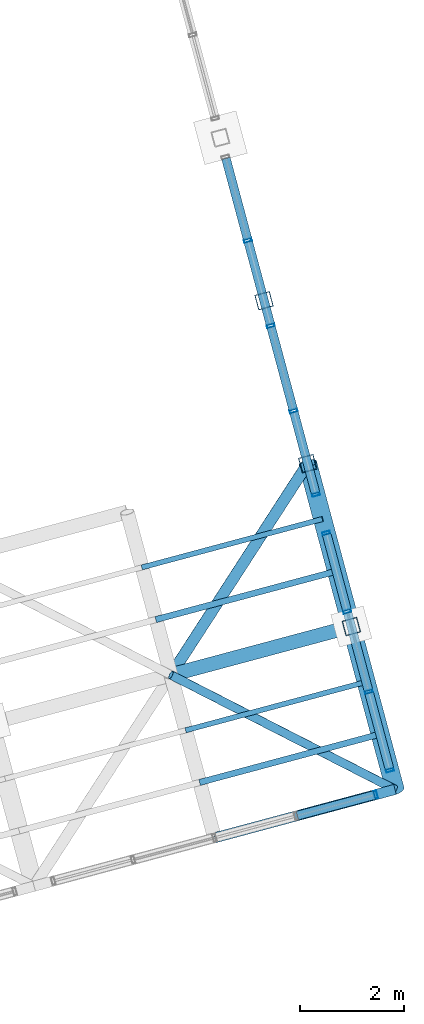
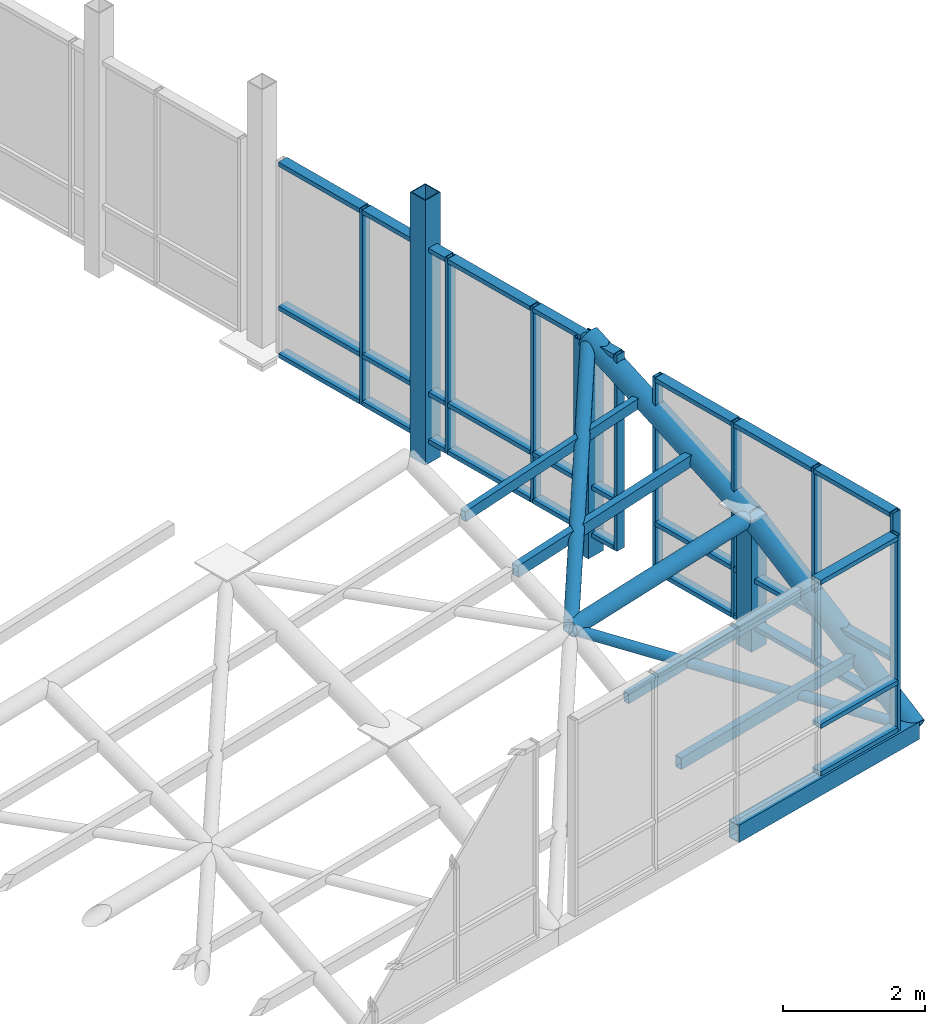
# One storey, part 16 of 29: 46 members, 3 elements without a shape of their own.
"""IFC4 building model written with IfcOpenShell, lengths in metres."""

from ifc_helpers import new_model, si_unit, direction, frame, origin, origin_2d, place, context, subcontext, project, spatial, hollow_rectangle, hollow_circle, extrude, material, layer, layer_set, material_profile, profile_set, type_object, element, aggregate, save


model = new_model("IFC4")

# Units and contexts
model_context = context("Model", 3, precision=1e-05, world=origin(), true_north=direction((0.0, 1.0)))
body_context = subcontext(model_context, "Body", "Model", "MODEL_VIEW")
ifc_project = project(units=[si_unit("LENGTHUNIT", "METRE"), si_unit("AREAUNIT", "SQUARE_METRE"), si_unit("VOLUMEUNIT", "CUBIC_METRE"), si_unit("PLANEANGLEUNIT", "RADIAN"), si_unit("MASSUNIT", "GRAM", prefix="KILO")], contexts=[model_context])

# Site, building, storey
site_placement = place(None, origin())
site = spatial("IfcSite", under=ifc_project, at=site_placement, CompositionType="ELEMENT")
building_placement = place(site_placement, origin())
building = spatial("IfcBuilding", under=site, at=building_placement, Name="Ventoquebrada Cableway Terminal", CompositionType="ELEMENT")
storey_placement = place(building_placement, frame((0.0, 0.0, 18.89990234375)))
storey = spatial("IfcBuildingStorey", under=building, at=storey_placement, Name="L04", CompositionType="ELEMENT", Elevation=18.89990234375)

# Members
ifc_material_1 = material(Name="Steel ASTM A500 Grade C", Category="steel")
ifc_material_profile_1 = material_profile(ifc_material_1, hollow_circle(Radius=0.109619140625, WallThickness=0.010009765625, at=origin_2d()), Name="CHS219.1X10")
ifc_profile_set_1 = profile_set([ifc_material_profile_1], Name="Steel ASTM A500 Grade C")
member_type_1 = type_object("IfcMemberType", Name="BRC-GS01", PredefinedType="BRACE", material=ifc_profile_set_1)
member_1_placement = place(storey_placement, frame((82.43310546875, 81.30908203125, 2.797119140625), z_axis=(0.515113137968, 0.795498422014, 0.319124921725), x_axis=(-0.839387776795, 0.543533035028, 0.0)))
element("IfcMember", 1, at=member_1_placement, inside=storey, type_object=member_type_1, Name="Saddle gridshell diagrid brace GBR-0412", PredefinedType="BRACE", context=body_context, shape_type="SweptSolid", body=[
    extrude(hollow_circle(Radius=0.109619140625, WallThickness=0.010009765625, at=origin_2d()), origin(), (0.0, 0.0, 1.0), 5.1171875),
])
ifc_material_profile_2 = material_profile(ifc_material_1, hollow_circle(Radius=0.084228515625, WallThickness=0.008056640625, at=origin_2d()), Name="CHS168.3X8")
ifc_profile_set_2 = profile_set([ifc_material_profile_2], Name="Steel ASTM A500 Grade C")
member_type_2 = type_object("IfcMemberType", Name="BRC-GS02", PredefinedType="BRACE", material=ifc_profile_set_2)
member_2_placement = place(storey_placement, frame((82.43310546875, 81.30908203125, 2.797119140625), z_axis=(0.830391292218, -0.424445170284, -0.360966202339), x_axis=(0.455130575279, 0.890424707343, 0.0)))
element("IfcMember", 2, at=member_2_placement, inside=storey, type_object=member_type_2, Name="Saddle gridshell diagrid brace GBR-0409", PredefinedType="BRACE", context=body_context, shape_type="SweptSolid", body=[
    extrude(hollow_circle(Radius=0.084228515625, WallThickness=0.008056640625, at=origin_2d()), origin(), (0.0, 0.0, 1.0), 5.19970703125),
])
ifc_material_profile_3 = material_profile(ifc_material_1, hollow_circle(Radius=0.177734375, WallThickness=0.012451171875, at=origin_2d()), Name="CHS355.6X12.5")
ifc_profile_set_3 = profile_set([ifc_material_profile_3], Name="Steel ASTM A500 Grade C")
member_type_3 = type_object("IfcMemberType", Name="CHD-GS01", PredefinedType="CHORD", material=ifc_profile_set_3)
member_3_placement = place(storey_placement, frame((86.7509765625, 79.10205078125, 0.920166015625), z_axis=(-0.21899541805, 0.817307428117, 0.532963014493), x_axis=(-0.965926253902, -0.258817449225, 0.0)))
element("IfcMember", 3, at=member_3_placement, inside=storey, type_object=member_type_3, Name="Saddle gridshell arch chord GCH-0095", PredefinedType="CHORD", context=body_context, shape_type="SweptSolid", body=[
    extrude(hollow_circle(Radius=0.177734375, WallThickness=0.012451171875, at=origin_2d()), origin(), (0.0, 0.0, 1.0), 3.840576171875),
])
member_4_placement = place(storey_placement, frame((85.909912109375, 82.240966796875, 2.967041015625), z_axis=(-0.235934891469, 0.880782491178, 0.410556853825), x_axis=(-0.965945033724, -0.258747351337, 0.0)))
element("IfcMember", 4, at=member_4_placement, inside=storey, type_object=member_type_3, Name="Saddle gridshell arch chord GCH-0096", PredefinedType="CHORD", context=body_context, shape_type="SweptSolid", body=[
    extrude(hollow_circle(Radius=0.177734375, WallThickness=0.012451171875, at=origin_2d()), origin(), (0.0, 0.0, 1.0), 3.563720703125),
])
ifc_material_profile_4 = material_profile(ifc_material_1, hollow_circle(Radius=0.136474609375, WallThickness=0.012451171875, at=origin_2d()), Name="CHS273.0X12.5")
ifc_profile_set_4 = profile_set([ifc_material_profile_4], Name="Steel ASTM A500 Grade C")
member_type_4 = type_object("IfcMemberType", Name="CHD-GS02", PredefinedType="CHORD", material=ifc_profile_set_4)
member_5_placement = place(storey_placement, frame((82.43310546875, 81.30908203125, 2.797119140625), z_axis=(0.964832114916, 0.258602919924, 0.047154213326), x_axis=(-0.258890904628, 0.965906568722, 0.0)))
element("IfcMember", 5, at=member_5_placement, inside=storey, type_object=member_type_4, Name="Saddle gridshell longitudinal chord GLG-0122", PredefinedType="CHORD", context=body_context, shape_type="SweptSolid", body=[
    extrude(hollow_circle(Radius=0.136474609375, WallThickness=0.012451171875, at=origin_2d()), origin(), (0.0, 0.0, 1.0), 3.603515625),
])
ifc_material_profile_5 = material_profile(ifc_material_1, hollow_rectangle(XDim=0.199951171875, YDim=0.300048828125, WallThickness=0.012451171875, at=origin_2d()), Name="RHS300X200X12.5")
ifc_profile_set_5 = profile_set([ifc_material_profile_5], Name="Steel ASTM A500 Grade C")
member_type_5 = type_object("IfcMemberType", Name="CHD-GS03", PredefinedType="CHORD", material=ifc_profile_set_5)
member_6_placement = place(storey_placement, frame((83.27392578125, 78.169921875, 0.920166015625), z_axis=(0.965894153822, 0.258937219442, 0.0), x_axis=(-0.258937219442, 0.965894153822, 0.0)))
element("IfcMember", 6, at=member_6_placement, inside=storey, type_object=member_type_5, Name="Saddle gridshell longitudinal chord GLG-0112", PredefinedType="CHORD", context=body_context, shape_type="SweptSolid", body=[
    extrude(hollow_rectangle(XDim=0.199951171875, YDim=0.300048828125, WallThickness=0.012451171875, at=origin_2d()), origin(), (0.0, 0.0, 1.0), 3.599853515625),
])

# Curtain wall, member
ifc_material_2 = material(Name="Anodized thermally-broken aluminium", Category="aluminium")
ifc_layer_1 = layer(ifc_material_2, 0.159912109375)
ifc_layer_set_1 = layer_set([ifc_layer_1], Name="Anodized thermally-broken aluminium")
curtain_wall_type_1 = type_object("IfcCurtainWallType", Name="CW-T45", PredefinedType="USERDEFINED", material=ifc_layer_set_1)
curtain_wall_1_placement = place(storey_placement, origin())
curtain_wall_1 = element("IfcCurtainWall", 7, at=curtain_wall_1_placement, inside=storey, type_object=curtain_wall_type_1, Name="Unitised glazed curtain wall CW-137", ObjectType="UNITISED CURTAIN WALL", PredefinedType="USERDEFINED")
ifc_material_profile_6 = material_profile(ifc_material_2, hollow_rectangle(XDim=0.06005859375, YDim=0.14990234375, WallThickness=0.00390625, at=origin_2d()), Name="CW-MUL-60X150")
ifc_profile_set_6 = profile_set([ifc_material_profile_6], Name="Anodized thermally-broken aluminium")
member_type_6 = type_object("IfcMemberType", Name="CWM-03", PredefinedType="MULLION", material=ifc_profile_set_6)
member_7_placement = place(storey_placement, frame((86.37890625, 79.001953125, 1.087158203125), z_axis=(0.0, 0.0, 1.0), x_axis=(0.96593486019, 0.258785327773, 0.0)))
member_7 = element("IfcMember", 8, at=member_7_placement, type_object=member_type_6, Name="Curtain wall mullion FML-0670", PredefinedType="MULLION", context=body_context, shape_type="SweptSolid", body=[
    extrude(hollow_rectangle(XDim=0.06005859375, YDim=0.14990234375, WallThickness=0.00390625, at=origin_2d()), origin(), (0.0, 0.0, 1.0), 3.373046875),
])

# Curtain wall, members
ifc_layer_2 = layer(ifc_material_2, 0.159912109375)
ifc_layer_set_2 = layer_set([ifc_layer_2], Name="Anodized thermally-broken aluminium")
curtain_wall_type_2 = type_object("IfcCurtainWallType", Name="CW-T46", PredefinedType="USERDEFINED", material=ifc_layer_set_2)
curtain_wall_2_placement = place(storey_placement, origin())
curtain_wall_2 = element("IfcCurtainWall", 9, at=curtain_wall_2_placement, inside=storey, type_object=curtain_wall_type_2, Name="Unitised glazed curtain wall CW-147", ObjectType="UNITISED CURTAIN WALL", PredefinedType="USERDEFINED")
member_8_placement = place(storey_placement, frame((86.652099609375, 79.47412109375, 1.087158203125), z_axis=(0.0, 0.0, 1.0), x_axis=(-0.258970769183, 0.965885159172, 0.0)))
member_8 = element("IfcMember", 10, at=member_8_placement, type_object=member_type_6, Name="Curtain wall mullion FML-0714", PredefinedType="MULLION", context=body_context, shape_type="SweptSolid", body=[
    extrude(hollow_rectangle(XDim=0.06005859375, YDim=0.14990234375, WallThickness=0.00390625, at=origin_2d()), origin(), (0.0, 0.0, 1.0), 3.373046875),
])
member_9_placement = place(storey_placement, frame((86.2470703125, 80.985107421875, 1.087158203125), z_axis=(0.0, 0.0, 1.0), x_axis=(-0.258970769183, 0.965885159172, 0.0)))
member_9 = element("IfcMember", 11, at=member_9_placement, type_object=member_type_6, Name="Curtain wall mullion FML-0715", PredefinedType="MULLION", context=body_context, shape_type="SweptSolid", body=[
    extrude(hollow_rectangle(XDim=0.06005859375, YDim=0.14990234375, WallThickness=0.00390625, at=origin_2d()), origin(), (0.0, 0.0, 1.0), 3.373046875),
])
member_10_placement = place(storey_placement, frame((85.83203125, 82.531005859375, 1.087158203125), z_axis=(0.0, 0.0, 1.0), x_axis=(-0.258970769183, 0.965885159172, 0.0)))
member_10 = element("IfcMember", 12, at=member_10_placement, type_object=member_type_6, Name="Curtain wall mullion FML-0716", PredefinedType="MULLION", context=body_context, shape_type="SweptSolid", body=[
    extrude(hollow_rectangle(XDim=0.06005859375, YDim=0.14990234375, WallThickness=0.00390625, at=origin_2d()), origin(), (0.0, 0.0, 1.0), 3.373046875),
])
member_11_placement = place(storey_placement, frame((85.427001953125, 84.0419921875, 1.087158203125), z_axis=(0.0, 0.0, 1.0), x_axis=(-0.258970769183, 0.965885159172, 0.0)))
member_11 = element("IfcMember", 13, at=member_11_placement, type_object=member_type_6, Name="Curtain wall mullion FML-0717", PredefinedType="MULLION", context=body_context, shape_type="SweptSolid", body=[
    extrude(hollow_rectangle(XDim=0.06005859375, YDim=0.14990234375, WallThickness=0.00390625, at=origin_2d()), origin(), (0.0, 0.0, 1.0), 3.373046875),
])

ifc_layer_3 = layer(ifc_material_2, 0.159912109375)
ifc_layer_set_3 = layer_set([ifc_layer_3], Name="Anodized thermally-broken aluminium")
curtain_wall_type_3 = type_object("IfcCurtainWallType", Name="CW-T47", PredefinedType="USERDEFINED", material=ifc_layer_set_3)
curtain_wall_3_placement = place(storey_placement, origin())
curtain_wall_3 = element("IfcCurtainWall", 14, at=curtain_wall_3_placement, inside=storey, type_object=curtain_wall_type_3, Name="Unitised glazed curtain wall CW-148", ObjectType="UNITISED CURTAIN WALL", PredefinedType="USERDEFINED")
member_12_placement = place(storey_placement, frame((85.22802734375, 84.785888671875, 1.087158203125), z_axis=(0.0, 0.0, 1.0), x_axis=(-0.258802186477, 0.965930343386, 0.0)))
member_12 = element("IfcMember", 15, at=member_12_placement, type_object=member_type_6, Name="Curtain wall mullion FML-0718", PredefinedType="MULLION", context=body_context, shape_type="SweptSolid", body=[
    extrude(hollow_rectangle(XDim=0.06005859375, YDim=0.14990234375, WallThickness=0.00390625, at=origin_2d()), origin(), (0.0, 0.0, 1.0), 3.373046875),
])
member_13_placement = place(storey_placement, frame((84.797119140625, 86.39404296875, 1.087158203125), z_axis=(0.0, 0.0, 1.0), x_axis=(-0.258802186477, 0.965930343386, 0.0)))
member_13 = element("IfcMember", 16, at=member_13_placement, type_object=member_type_6, Name="Curtain wall mullion FML-0719", PredefinedType="MULLION", context=body_context, shape_type="SweptSolid", body=[
    extrude(hollow_rectangle(XDim=0.06005859375, YDim=0.14990234375, WallThickness=0.00390625, at=origin_2d()), origin(), (0.0, 0.0, 1.0), 3.373046875),
])
member_14_placement = place(storey_placement, frame((84.35693359375, 88.035888671875, 1.087158203125), z_axis=(0.0, 0.0, 1.0), x_axis=(-0.258802186477, 0.965930343386, 0.0)))
member_14 = element("IfcMember", 17, at=member_14_placement, type_object=member_type_6, Name="Curtain wall mullion FML-0720", PredefinedType="MULLION", context=body_context, shape_type="SweptSolid", body=[
    extrude(hollow_rectangle(XDim=0.06005859375, YDim=0.14990234375, WallThickness=0.00390625, at=origin_2d()), origin(), (0.0, 0.0, 1.0), 3.373046875),
])
member_15_placement = place(storey_placement, frame((83.9169921875, 89.678955078125, 1.087158203125), z_axis=(0.0, 0.0, 1.0), x_axis=(-0.258802186477, 0.965930343386, 0.0)))
member_15 = element("IfcMember", 18, at=member_15_placement, type_object=member_type_6, Name="Curtain wall mullion FML-0721", PredefinedType="MULLION", context=body_context, shape_type="SweptSolid", body=[
    extrude(hollow_rectangle(XDim=0.06005859375, YDim=0.14990234375, WallThickness=0.00390625, at=origin_2d()), origin(), (0.0, 0.0, 1.0), 3.373046875),
])

# Member
ifc_material_profile_7 = material_profile(ifc_material_2, hollow_rectangle(XDim=0.074951171875, YDim=0.169921875, WallThickness=0.00439453125, at=origin_2d()), Name="CW-TRN-75X170")
ifc_profile_set_7 = profile_set([ifc_material_profile_7], Name="Anodized thermally-broken aluminium")
member_type_7 = type_object("IfcMemberType", Name="CWT-03", PredefinedType="USERDEFINED", material=ifc_profile_set_7)
member_16_placement = place(storey_placement, frame((84.867919921875, 78.596923828125, 1.130126953125), z_axis=(0.96596857403, 0.25865945563, 0.0), x_axis=(0.0, 0.0, 1.0)))
member_16 = element("IfcMember", 19, at=member_16_placement, type_object=member_type_7, Name="Curtain wall transom FTR-1977", ObjectType="TRANSOM", PredefinedType="USERDEFINED", context=body_context, shape_type="SweptSolid", body=[
    extrude(hollow_rectangle(XDim=0.074951171875, YDim=0.169921875, WallThickness=0.00439453125, at=origin_2d()), origin(), (0.0, 0.0, 1.0), 1.53955078125),
])

member_17_placement = place(storey_placement, frame((84.867919921875, 78.596923828125, 1.945068359375), z_axis=(0.96596857403, 0.25865945563, 0.0), x_axis=(0.0, 0.0, 1.0)))
member_17 = element("IfcMember", 20, at=member_17_placement, type_object=member_type_7, Name="Curtain wall transom FTR-1978", ObjectType="TRANSOM", PredefinedType="USERDEFINED", context=body_context, shape_type="SweptSolid", body=[
    extrude(hollow_rectangle(XDim=0.074951171875, YDim=0.169921875, WallThickness=0.00439453125, at=origin_2d()), origin(), (0.0, 0.0, 1.0), 1.53955078125),
])

member_18_placement = place(storey_placement, frame((84.867919921875, 78.596923828125, 4.420166015625), z_axis=(0.96596857403, 0.25865945563, 0.0), x_axis=(0.0, 0.0, 1.0)))
member_18 = element("IfcMember", 21, at=member_18_placement, type_object=member_type_7, Name="Curtain wall transom FTR-1979", ObjectType="TRANSOM", PredefinedType="USERDEFINED", context=body_context, shape_type="SweptSolid", body=[
    extrude(hollow_rectangle(XDim=0.074951171875, YDim=0.169921875, WallThickness=0.00439453125, at=origin_2d()), origin(), (0.0, 0.0, 1.0), 1.53955078125),
])

aggregate(curtain_wall_1, [member_7, member_16, member_17, member_18])

member_19_placement = place(storey_placement, frame((86.64501953125, 79.498046875, 1.130126953125), z_axis=(-0.258886490244, 0.965907751894, 0.0), x_axis=(0.0, 0.0, 1.0)))
member_19 = element("IfcMember", 22, at=member_19_placement, type_object=member_type_7, Name="Curtain wall transom FTR-2082", ObjectType="TRANSOM", PredefinedType="USERDEFINED", context=body_context, shape_type="SweptSolid", body=[
    extrude(hollow_rectangle(XDim=0.074951171875, YDim=0.169921875, WallThickness=0.00439453125, at=origin_2d()), origin(), (0.0, 0.0, 1.0), 1.514404296875),
])

member_20_placement = place(storey_placement, frame((86.64501953125, 79.498046875, 1.945068359375), z_axis=(-0.258886490244, 0.965907751894, 0.0), x_axis=(0.0, 0.0, 1.0)))
member_20 = element("IfcMember", 23, at=member_20_placement, type_object=member_type_7, Name="Curtain wall transom FTR-2083", ObjectType="TRANSOM", PredefinedType="USERDEFINED", context=body_context, shape_type="SweptSolid", body=[
    extrude(hollow_rectangle(XDim=0.074951171875, YDim=0.169921875, WallThickness=0.00439453125, at=origin_2d()), origin(), (0.0, 0.0, 1.0), 1.514404296875),
])

member_21_placement = place(storey_placement, frame((86.64501953125, 79.498046875, 4.420166015625), z_axis=(-0.258886490244, 0.965907751894, 0.0), x_axis=(0.0, 0.0, 1.0)))
member_21 = element("IfcMember", 24, at=member_21_placement, type_object=member_type_7, Name="Curtain wall transom FTR-2084", ObjectType="TRANSOM", PredefinedType="USERDEFINED", context=body_context, shape_type="SweptSolid", body=[
    extrude(hollow_rectangle(XDim=0.074951171875, YDim=0.169921875, WallThickness=0.00439453125, at=origin_2d()), origin(), (0.0, 0.0, 1.0), 1.514404296875),
])

member_22_placement = place(storey_placement, frame((86.239990234375, 81.009033203125, 1.130126953125), z_axis=(-0.258505244572, 0.966009854261, 0.0), x_axis=(0.0, 0.0, 1.0)))
member_22 = element("IfcMember", 25, at=member_22_placement, type_object=member_type_7, Name="Curtain wall transom FTR-2085", ObjectType="TRANSOM", PredefinedType="USERDEFINED", context=body_context, shape_type="SweptSolid", body=[
    extrude(hollow_rectangle(XDim=0.074951171875, YDim=0.169921875, WallThickness=0.00439453125, at=origin_2d()), origin(), (0.0, 0.0, 1.0), 1.55078125),
])

member_23_placement = place(storey_placement, frame((86.239990234375, 81.009033203125, 1.945068359375), z_axis=(-0.258505244572, 0.966009854261, 0.0), x_axis=(0.0, 0.0, 1.0)))
member_23 = element("IfcMember", 26, at=member_23_placement, type_object=member_type_7, Name="Curtain wall transom FTR-2086", ObjectType="TRANSOM", PredefinedType="USERDEFINED", context=body_context, shape_type="SweptSolid", body=[
    extrude(hollow_rectangle(XDim=0.074951171875, YDim=0.169921875, WallThickness=0.00439453125, at=origin_2d()), origin(), (0.0, 0.0, 1.0), 1.55078125),
])

member_24_placement = place(storey_placement, frame((86.239990234375, 81.009033203125, 4.420166015625), z_axis=(-0.258505244572, 0.966009854261, 0.0), x_axis=(0.0, 0.0, 1.0)))
member_24 = element("IfcMember", 27, at=member_24_placement, type_object=member_type_7, Name="Curtain wall transom FTR-2087", ObjectType="TRANSOM", PredefinedType="USERDEFINED", context=body_context, shape_type="SweptSolid", body=[
    extrude(hollow_rectangle(XDim=0.074951171875, YDim=0.169921875, WallThickness=0.00439453125, at=origin_2d()), origin(), (0.0, 0.0, 1.0), 1.55078125),
])

member_25_placement = place(storey_placement, frame((85.825927734375, 82.554931640625, 1.130126953125), z_axis=(-0.258695801692, 0.965958840835, 0.0), x_axis=(0.0, 0.0, 1.0)))
member_25 = element("IfcMember", 28, at=member_25_placement, type_object=member_type_7, Name="Curtain wall transom FTR-2088", ObjectType="TRANSOM", PredefinedType="USERDEFINED", context=body_context, shape_type="SweptSolid", body=[
    extrude(hollow_rectangle(XDim=0.074951171875, YDim=0.169921875, WallThickness=0.00439453125, at=origin_2d()), origin(), (0.0, 0.0, 1.0), 1.5146484375),
])

member_26_placement = place(storey_placement, frame((85.825927734375, 82.554931640625, 1.945068359375), z_axis=(-0.258695801692, 0.965958840835, 0.0), x_axis=(0.0, 0.0, 1.0)))
member_26 = element("IfcMember", 29, at=member_26_placement, type_object=member_type_7, Name="Curtain wall transom FTR-2089", ObjectType="TRANSOM", PredefinedType="USERDEFINED", context=body_context, shape_type="SweptSolid", body=[
    extrude(hollow_rectangle(XDim=0.074951171875, YDim=0.169921875, WallThickness=0.00439453125, at=origin_2d()), origin(), (0.0, 0.0, 1.0), 1.5146484375),
])

member_27_placement = place(storey_placement, frame((85.825927734375, 82.554931640625, 4.420166015625), z_axis=(-0.258695801692, 0.965958840835, 0.0), x_axis=(0.0, 0.0, 1.0)))
member_27 = element("IfcMember", 30, at=member_27_placement, type_object=member_type_7, Name="Curtain wall transom FTR-2090", ObjectType="TRANSOM", PredefinedType="USERDEFINED", context=body_context, shape_type="SweptSolid", body=[
    extrude(hollow_rectangle(XDim=0.074951171875, YDim=0.169921875, WallThickness=0.00439453125, at=origin_2d()), origin(), (0.0, 0.0, 1.0), 1.5146484375),
])

aggregate(curtain_wall_2, [member_8, member_9, member_10, member_11, member_19, member_20, member_21, member_22, member_23, member_24, member_25, member_26, member_27])

member_28_placement = place(storey_placement, frame((85.220947265625, 84.81005859375, 1.130126953125), z_axis=(-0.258791494835, 0.96593320794, 0.0), x_axis=(0.0, 0.0, 1.0)))
member_28 = element("IfcMember", 31, at=member_28_placement, type_object=member_type_7, Name="Curtain wall transom FTR-2091", ObjectType="TRANSOM", PredefinedType="USERDEFINED", context=body_context, shape_type="SweptSolid", body=[
    extrude(hollow_rectangle(XDim=0.074951171875, YDim=0.169921875, WallThickness=0.00439453125, at=origin_2d()), origin(), (0.0, 0.0, 1.0), 1.614990234375),
])

member_29_placement = place(storey_placement, frame((85.220947265625, 84.81005859375, 1.945068359375), z_axis=(-0.258791494835, 0.96593320794, 0.0), x_axis=(0.0, 0.0, 1.0)))
member_29 = element("IfcMember", 32, at=member_29_placement, type_object=member_type_7, Name="Curtain wall transom FTR-2092", ObjectType="TRANSOM", PredefinedType="USERDEFINED", context=body_context, shape_type="SweptSolid", body=[
    extrude(hollow_rectangle(XDim=0.074951171875, YDim=0.169921875, WallThickness=0.00439453125, at=origin_2d()), origin(), (0.0, 0.0, 1.0), 1.614990234375),
])

member_30_placement = place(storey_placement, frame((85.220947265625, 84.81005859375, 4.420166015625), z_axis=(-0.258791494835, 0.96593320794, 0.0), x_axis=(0.0, 0.0, 1.0)))
member_30 = element("IfcMember", 33, at=member_30_placement, type_object=member_type_7, Name="Curtain wall transom FTR-2093", ObjectType="TRANSOM", PredefinedType="USERDEFINED", context=body_context, shape_type="SweptSolid", body=[
    extrude(hollow_rectangle(XDim=0.074951171875, YDim=0.169921875, WallThickness=0.00439453125, at=origin_2d()), origin(), (0.0, 0.0, 1.0), 1.614990234375),
])

member_31_placement = place(storey_placement, frame((84.791015625, 86.41796875, 1.130126953125), z_axis=(-0.259310305754, 0.965794059481, 0.0), x_axis=(0.0, 0.0, 1.0)))
member_31 = element("IfcMember", 34, at=member_31_placement, type_object=member_type_7, Name="Curtain wall transom FTR-2094", ObjectType="TRANSOM", PredefinedType="USERDEFINED", context=body_context, shape_type="SweptSolid", body=[
    extrude(hollow_rectangle(XDim=0.074951171875, YDim=0.169921875, WallThickness=0.00439453125, at=origin_2d()), origin(), (0.0, 0.0, 1.0), 1.650390625),
])

member_32_placement = place(storey_placement, frame((84.791015625, 86.41796875, 1.945068359375), z_axis=(-0.259310305754, 0.965794059481, 0.0), x_axis=(0.0, 0.0, 1.0)))
member_32 = element("IfcMember", 35, at=member_32_placement, type_object=member_type_7, Name="Curtain wall transom FTR-2095", ObjectType="TRANSOM", PredefinedType="USERDEFINED", context=body_context, shape_type="SweptSolid", body=[
    extrude(hollow_rectangle(XDim=0.074951171875, YDim=0.169921875, WallThickness=0.00439453125, at=origin_2d()), origin(), (0.0, 0.0, 1.0), 1.650390625),
])

member_33_placement = place(storey_placement, frame((84.791015625, 86.41796875, 4.420166015625), z_axis=(-0.259310305754, 0.965794059481, 0.0), x_axis=(0.0, 0.0, 1.0)))
member_33 = element("IfcMember", 36, at=member_33_placement, type_object=member_type_7, Name="Curtain wall transom FTR-2096", ObjectType="TRANSOM", PredefinedType="USERDEFINED", context=body_context, shape_type="SweptSolid", body=[
    extrude(hollow_rectangle(XDim=0.074951171875, YDim=0.169921875, WallThickness=0.00439453125, at=origin_2d()), origin(), (0.0, 0.0, 1.0), 1.650390625),
])

member_34_placement = place(storey_placement, frame((84.35107421875, 88.06103515625, 1.130126953125), z_axis=(-0.259310305754, 0.965794059481, 0.0), x_axis=(0.0, 0.0, 1.0)))
member_34 = element("IfcMember", 37, at=member_34_placement, type_object=member_type_7, Name="Curtain wall transom FTR-2097", ObjectType="TRANSOM", PredefinedType="USERDEFINED", context=body_context, shape_type="SweptSolid", body=[
    extrude(hollow_rectangle(XDim=0.074951171875, YDim=0.169921875, WallThickness=0.00439453125, at=origin_2d()), origin(), (0.0, 0.0, 1.0), 1.650390625),
])

member_35_placement = place(storey_placement, frame((84.35107421875, 88.06103515625, 1.945068359375), z_axis=(-0.259310305754, 0.965794059481, 0.0), x_axis=(0.0, 0.0, 1.0)))
member_35 = element("IfcMember", 38, at=member_35_placement, type_object=member_type_7, Name="Curtain wall transom FTR-2098", ObjectType="TRANSOM", PredefinedType="USERDEFINED", context=body_context, shape_type="SweptSolid", body=[
    extrude(hollow_rectangle(XDim=0.074951171875, YDim=0.169921875, WallThickness=0.00439453125, at=origin_2d()), origin(), (0.0, 0.0, 1.0), 1.650390625),
])

member_36_placement = place(storey_placement, frame((84.35107421875, 88.06103515625, 4.420166015625), z_axis=(-0.259310305754, 0.965794059481, 0.0), x_axis=(0.0, 0.0, 1.0)))
member_36 = element("IfcMember", 39, at=member_36_placement, type_object=member_type_7, Name="Curtain wall transom FTR-2099", ObjectType="TRANSOM", PredefinedType="USERDEFINED", context=body_context, shape_type="SweptSolid", body=[
    extrude(hollow_rectangle(XDim=0.074951171875, YDim=0.169921875, WallThickness=0.00439453125, at=origin_2d()), origin(), (0.0, 0.0, 1.0), 1.650390625),
])

member_37_placement = place(storey_placement, frame((83.910888671875, 89.702880859375, 1.130126953125), z_axis=(-0.258791494835, 0.96593320794, 0.0), x_axis=(0.0, 0.0, 1.0)))
member_37 = element("IfcMember", 40, at=member_37_placement, type_object=member_type_7, Name="Curtain wall transom FTR-2100", ObjectType="TRANSOM", PredefinedType="USERDEFINED", context=body_context, shape_type="SweptSolid", body=[
    extrude(hollow_rectangle(XDim=0.074951171875, YDim=0.169921875, WallThickness=0.00439453125, at=origin_2d()), origin(), (0.0, 0.0, 1.0), 1.614990234375),
])

member_38_placement = place(storey_placement, frame((83.910888671875, 89.702880859375, 1.945068359375), z_axis=(-0.258791494835, 0.96593320794, 0.0), x_axis=(0.0, 0.0, 1.0)))
member_38 = element("IfcMember", 41, at=member_38_placement, type_object=member_type_7, Name="Curtain wall transom FTR-2101", ObjectType="TRANSOM", PredefinedType="USERDEFINED", context=body_context, shape_type="SweptSolid", body=[
    extrude(hollow_rectangle(XDim=0.074951171875, YDim=0.169921875, WallThickness=0.00439453125, at=origin_2d()), origin(), (0.0, 0.0, 1.0), 1.614990234375),
])

member_39_placement = place(storey_placement, frame((83.910888671875, 89.702880859375, 4.420166015625), z_axis=(-0.258791494835, 0.96593320794, 0.0), x_axis=(0.0, 0.0, 1.0)))
member_39 = element("IfcMember", 42, at=member_39_placement, type_object=member_type_7, Name="Curtain wall transom FTR-2102", ObjectType="TRANSOM", PredefinedType="USERDEFINED", context=body_context, shape_type="SweptSolid", body=[
    extrude(hollow_rectangle(XDim=0.074951171875, YDim=0.169921875, WallThickness=0.00439453125, at=origin_2d()), origin(), (0.0, 0.0, 1.0), 1.614990234375),
])

aggregate(curtain_wall_3, [member_12, member_13, member_14, member_15, member_28, member_29, member_30, member_31, member_32, member_33, member_34, member_35, member_36, member_37, member_38, member_39])

# Members
ifc_material_profile_8 = material_profile(ifc_material_1, hollow_rectangle(XDim=0.1201171875, YDim=0.199951171875, WallThickness=0.008056640625, at=origin_2d()), Name="RHS200X120X8")
ifc_profile_set_8 = profile_set([ifc_material_profile_8], Name="Steel ASTM A500 Grade C")
member_type_8 = type_object("IfcMemberType", Name="PUR-RF01", PredefinedType="PURLIN", material=ifc_profile_set_8)
member_40_placement = place(storey_placement, frame((82.988037109375, 79.237060546875, 1.55810546875), z_axis=(0.965785306167, 0.258840227049, 0.016139369672), x_axis=(-0.258873944891, 0.965911114263, 0.0)))
element("IfcMember", 43, at=member_40_placement, inside=storey, type_object=member_type_8, Name="Gridshell secondary roof purlin GPR-0410", PredefinedType="PURLIN", context=body_context, shape_type="SweptSolid", body=[
    extrude(hollow_rectangle(XDim=0.1201171875, YDim=0.199951171875, WallThickness=0.008056640625, at=origin_2d()), origin(), (0.0, 0.0, 1.0), 3.600341796875),
])
member_41_placement = place(storey_placement, frame((82.14697265625, 82.3759765625, 3.253173828125), z_axis=(0.96424018426, 0.258493822743, 0.058496244853), x_axis=(-0.258937219442, 0.965894153822, 0.0)))
element("IfcMember", 44, at=member_41_placement, inside=storey, type_object=member_type_8, Name="Gridshell secondary roof purlin GPR-0413", PredefinedType="PURLIN", context=body_context, shape_type="SweptSolid", body=[
    extrude(hollow_rectangle(XDim=0.1201171875, YDim=0.199951171875, WallThickness=0.008056640625, at=origin_2d()), origin(), (0.0, 0.0, 1.0), 3.60595703125),
])
ifc_material_profile_9 = material_profile(ifc_material_1, hollow_rectangle(XDim=0.10009765625, YDim=0.179931640625, WallThickness=0.008056640625, at=origin_2d()), Name="RHS180X100X8")
ifc_profile_set_9 = profile_set([ifc_material_profile_9], Name="Steel ASTM A500 Grade C")
member_type_9 = type_object("IfcMemberType", Name="PUR-RF02", PredefinedType="PURLIN", material=ifc_profile_set_9)
member_42_placement = place(storey_placement, frame((82.718994140625, 80.241943359375, 2.1591796875), z_axis=(0.965428531829, 0.258812395346, 0.031046641453), x_axis=(-0.258937219442, 0.965894153822, 0.0)))
element("IfcMember", 45, at=member_42_placement, inside=storey, type_object=member_type_9, Name="Gridshell secondary roof purlin GPR-0411", PredefinedType="PURLIN", context=body_context, shape_type="SweptSolid", body=[
    extrude(hollow_rectangle(XDim=0.10009765625, YDim=0.179931640625, WallThickness=0.008056640625, at=origin_2d()), origin(), (0.0, 0.0, 1.0), 3.6015625),
])
member_43_placement = place(storey_placement, frame((81.8779296875, 83.381103515625, 3.68212890625), z_axis=(0.963572029425, 0.258247046504, 0.069551470738), x_axis=(-0.258873944891, 0.965911114263, 0.0)))
element("IfcMember", 46, at=member_43_placement, inside=storey, type_object=member_type_9, Name="Gridshell secondary roof purlin GPR-0414", PredefinedType="PURLIN", context=body_context, shape_type="SweptSolid", body=[
    extrude(hollow_rectangle(XDim=0.10009765625, YDim=0.179931640625, WallThickness=0.008056640625, at=origin_2d()), origin(), (0.0, 0.0, 1.0), 3.6083984375),
])
ifc_material_profile_10 = material_profile(ifc_material_1, hollow_rectangle(XDim=0.300048828125, YDim=0.300048828125, WallThickness=0.01611328125, at=origin_2d()), Name="HSS300X300X16")
ifc_profile_set_10 = profile_set([ifc_material_profile_10], Name="Steel ASTM A500 Grade C")
member_type_10 = type_object("IfcMemberType", Name="STR-VS01", PredefinedType="STRUT", material=ifc_profile_set_10)
member_44_placement = place(storey_placement, frame((85.909912109375, 82.240966796875, 0.75), z_axis=(0.0, 0.0, 1.0), x_axis=(0.965925826289, 0.258819045103, 0.0)))
element("IfcMember", 47, at=member_44_placement, inside=storey, type_object=member_type_10, Name="Saddle gridshell portal strut GS-ST-0008", PredefinedType="STRUT", context=body_context, shape_type="SweptSolid", body=[
    extrude(hollow_rectangle(XDim=0.300048828125, YDim=0.300048828125, WallThickness=0.01611328125, at=origin_2d()), origin(), (0.0, 0.0, 1.0), 2.217041015625),
])
member_45_placement = place(storey_placement, frame((85.069091796875, 85.3798828125, 0.75), z_axis=(0.0, 0.0, 1.0), x_axis=(0.965925826289, 0.258819045103, 0.0)))
element("IfcMember", 48, at=member_45_placement, inside=storey, type_object=member_type_10, Name="Saddle gridshell portal strut GS-ST-0009", PredefinedType="STRUT", context=body_context, shape_type="SweptSolid", body=[
    extrude(hollow_rectangle(XDim=0.300048828125, YDim=0.300048828125, WallThickness=0.01611328125, at=origin_2d()), origin(), (0.0, 0.0, 1.0), 3.68017578125),
])
member_46_placement = place(storey_placement, frame((84.22802734375, 88.51904296875, 0.75), z_axis=(0.0, 0.0, 1.0), x_axis=(0.965925826289, 0.258819045103, 0.0)))
element("IfcMember", 49, at=member_46_placement, inside=storey, type_object=member_type_10, Name="Saddle gridshell portal strut GS-ST-0010", PredefinedType="STRUT", context=body_context, shape_type="SweptSolid", body=[
    extrude(hollow_rectangle(XDim=0.300048828125, YDim=0.300048828125, WallThickness=0.01611328125, at=origin_2d()), origin(), (0.0, 0.0, 1.0), 4.55712890625),
])

save(model, "model.ifc")
